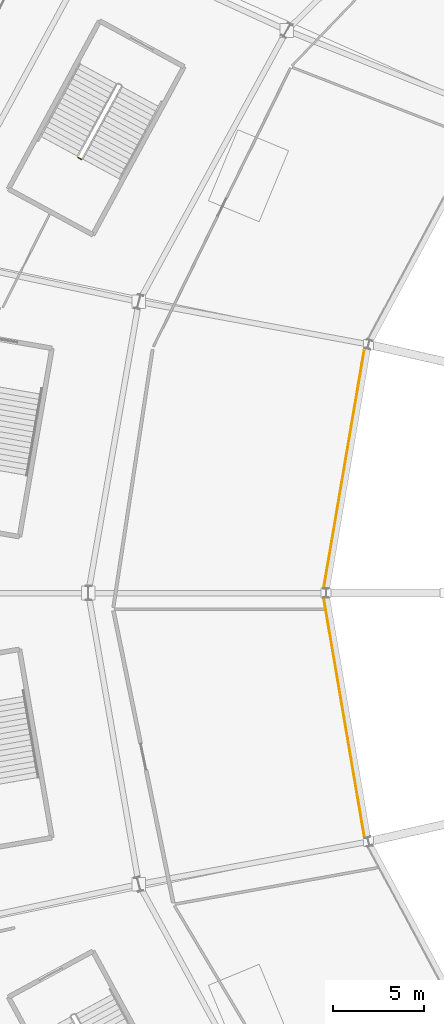
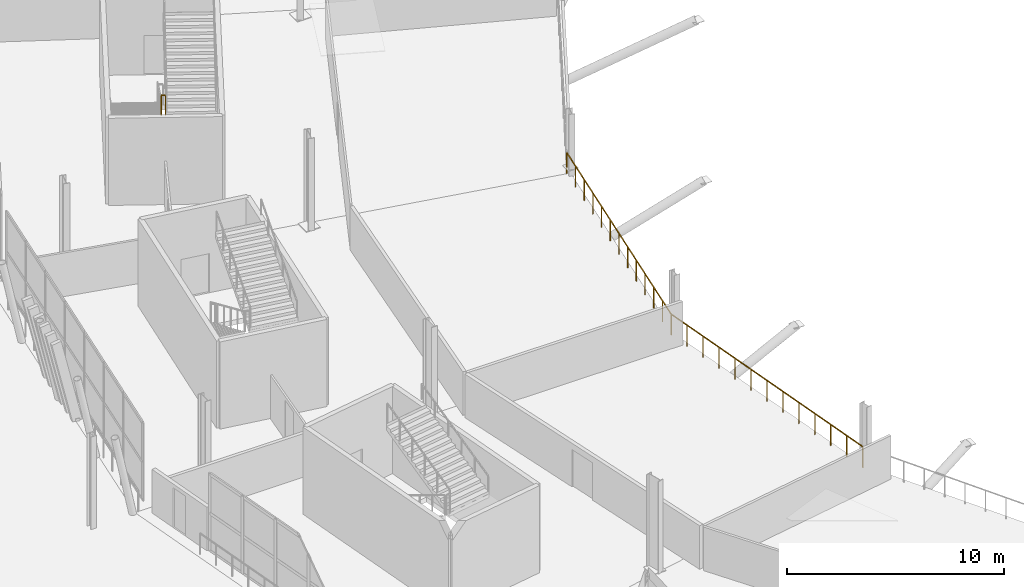
# One storey, part 149 of 168: 3 railings.
"""IFC4 building model written with IfcOpenShell, lengths in metres."""

from ifc_helpers import new_model, si_unit, direction, frame, origin, origin_2d, place, context, subcontext, project, spatial, rectangle, extrude, material, type_object, element, save


model = new_model("IFC4")

# Units and contexts
model_context = context("Model", 3, precision=1e-05, world=origin(), true_north=direction((0.0, 1.0)))
body_context = subcontext(model_context, "Body", "Model", "MODEL_VIEW")
ifc_project = project(units=[si_unit("LENGTHUNIT", "METRE"), si_unit("AREAUNIT", "SQUARE_METRE"), si_unit("VOLUMEUNIT", "CUBIC_METRE"), si_unit("PLANEANGLEUNIT", "RADIAN"), si_unit("MASSUNIT", "GRAM", prefix="KILO")], contexts=[model_context])

# Site, building, storey
site_placement = place(None, origin())
site = spatial("IfcSite", under=ifc_project, at=site_placement, CompositionType="ELEMENT")
building_placement = place(site_placement, origin())
building = spatial("IfcBuilding", under=site, at=building_placement, Name="Zlatoyarsky Gate Stadium", CompositionType="ELEMENT")
storey_placement = place(building_placement, frame((0.0, 0.0, 15.60009765625)))
storey = spatial("IfcBuildingStorey", under=building, at=storey_placement, Name="L03", CompositionType="ELEMENT", Elevation=15.60009765625)

# Railings
ifc_material_1 = material(Name="Powder-coated steel tubular guardrail", Category="steel")
railing_type_1 = type_object("IfcRailingType", Name="CONCOURSE SLAB EDGE GUARDRAIL 1200", PredefinedType="GUARDRAIL", material=ifc_material_1)
railing_1_placement = place(storey_placement, frame((45.143310546875, 93.634521484375, 0.0)))
element("IfcRailing", 1, at=railing_1_placement, inside=storey, type_object=railing_type_1, Name="L03 inner bowl edge guardrail 11", PredefinedType="GUARDRAIL", context=body_context, shape_type="SweptSolid", body=[
    extrude(rectangle(XDim=0.048095703125, YDim=0.048095703125, at=origin_2d()), frame((0.0, 0.0, 1.17578125), z_axis=(-0.167973081768, -0.985791582334, 0.0), x_axis=(0.985791582334, -0.167973081768, 0.0)), (0.0, 0.0, 1.0), 13.8310546875),
    extrude(rectangle(XDim=0.0419921875, YDim=0.0419921875, at=origin_2d()), origin(), (0.0, 0.0, 1.0), 1.15185546875),
    extrude(rectangle(XDim=0.0419921875, YDim=0.0419921875, at=origin_2d()), frame((-0.193603515625, -1.13623046875, 0.0)), (0.0, 0.0, 1.0), 1.15185546875),
    extrude(rectangle(XDim=0.0419921875, YDim=0.0419921875, at=origin_2d()), frame((-0.38720703125, -2.2724609375, 0.0)), (0.0, 0.0, 1.0), 1.15185546875),
    extrude(rectangle(XDim=0.0419921875, YDim=0.0419921875, at=origin_2d()), frame((-0.580810546875, -3.40869140625, 0.0)), (0.0, 0.0, 1.0), 1.15185546875),
    extrude(rectangle(XDim=0.0419921875, YDim=0.0419921875, at=origin_2d()), frame((-0.7744140625, -4.544921875, 0.0)), (0.0, 0.0, 1.0), 1.15185546875),
    extrude(rectangle(XDim=0.0419921875, YDim=0.0419921875, at=origin_2d()), frame((-0.968017578125, -5.68115234375, 0.0)), (0.0, 0.0, 1.0), 1.15185546875),
    extrude(rectangle(XDim=0.0419921875, YDim=0.0419921875, at=origin_2d()), frame((-1.16162109375, -6.8173828125, 0.0)), (0.0, 0.0, 1.0), 1.15185546875),
    extrude(rectangle(XDim=0.0419921875, YDim=0.0419921875, at=origin_2d()), frame((-1.355224609375, -7.953369140625, 0.0)), (0.0, 0.0, 1.0), 1.15185546875),
    extrude(rectangle(XDim=0.0419921875, YDim=0.0419921875, at=origin_2d()), frame((-1.548828125, -9.089599609375, 0.0)), (0.0, 0.0, 1.0), 1.15185546875),
    extrude(rectangle(XDim=0.0419921875, YDim=0.0419921875, at=origin_2d()), frame((-1.742431640625, -10.225830078125, 0.0)), (0.0, 0.0, 1.0), 1.15185546875),
    extrude(rectangle(XDim=0.0419921875, YDim=0.0419921875, at=origin_2d()), frame((-1.93603515625, -11.362060546875, 0.0)), (0.0, 0.0, 1.0), 1.15185546875),
    extrude(rectangle(XDim=0.0419921875, YDim=0.0419921875, at=origin_2d()), frame((-2.129638671875, -12.498291015625, 0.0)), (0.0, 0.0, 1.0), 1.15185546875),
    extrude(rectangle(XDim=0.0419921875, YDim=0.0419921875, at=origin_2d()), frame((-2.3232421875, -13.634521484375, 0.0)), (0.0, 0.0, 1.0), 1.15185546875),
])
railing_2_placement = place(storey_placement, frame((42.820068359375, 80.0, 0.0)))
element("IfcRailing", 2, at=railing_2_placement, inside=storey, type_object=railing_type_1, Name="L03 inner bowl edge guardrail 12", PredefinedType="GUARDRAIL", context=body_context, shape_type="SweptSolid", body=[
    extrude(rectangle(XDim=0.048095703125, YDim=0.048095703125, at=origin_2d()), frame((0.0, 0.0, 1.17578125), z_axis=(0.167973081768, -0.985791582334, 0.0), x_axis=(0.985791582334, 0.167973081768, 0.0)), (0.0, 0.0, 1.0), 13.8310546875),
    extrude(rectangle(XDim=0.0419921875, YDim=0.0419921875, at=origin_2d()), origin(), (0.0, 0.0, 1.0), 1.15185546875),
    extrude(rectangle(XDim=0.0419921875, YDim=0.0419921875, at=origin_2d()), frame((0.193603515625, -1.13623046875, 0.0)), (0.0, 0.0, 1.0), 1.15185546875),
    extrude(rectangle(XDim=0.0419921875, YDim=0.0419921875, at=origin_2d()), frame((0.38720703125, -2.2724609375, 0.0)), (0.0, 0.0, 1.0), 1.15185546875),
    extrude(rectangle(XDim=0.0419921875, YDim=0.0419921875, at=origin_2d()), frame((0.580810546875, -3.40869140625, 0.0)), (0.0, 0.0, 1.0), 1.15185546875),
    extrude(rectangle(XDim=0.0419921875, YDim=0.0419921875, at=origin_2d()), frame((0.7744140625, -4.544921875, 0.0)), (0.0, 0.0, 1.0), 1.15185546875),
    extrude(rectangle(XDim=0.0419921875, YDim=0.0419921875, at=origin_2d()), frame((0.968017578125, -5.68115234375, 0.0)), (0.0, 0.0, 1.0), 1.15185546875),
    extrude(rectangle(XDim=0.0419921875, YDim=0.0419921875, at=origin_2d()), frame((1.16162109375, -6.8173828125, 0.0)), (0.0, 0.0, 1.0), 1.15185546875),
    extrude(rectangle(XDim=0.0419921875, YDim=0.0419921875, at=origin_2d()), frame((1.355224609375, -7.953369140625, 0.0)), (0.0, 0.0, 1.0), 1.15185546875),
    extrude(rectangle(XDim=0.0419921875, YDim=0.0419921875, at=origin_2d()), frame((1.548828125, -9.089599609375, 0.0)), (0.0, 0.0, 1.0), 1.15185546875),
    extrude(rectangle(XDim=0.0419921875, YDim=0.0419921875, at=origin_2d()), frame((1.742431640625, -10.225830078125, 0.0)), (0.0, 0.0, 1.0), 1.15185546875),
    extrude(rectangle(XDim=0.0419921875, YDim=0.0419921875, at=origin_2d()), frame((1.93603515625, -11.362060546875, 0.0)), (0.0, 0.0, 1.0), 1.15185546875),
    extrude(rectangle(XDim=0.0419921875, YDim=0.0419921875, at=origin_2d()), frame((2.129638671875, -12.498291015625, 0.0)), (0.0, 0.0, 1.0), 1.15185546875),
    extrude(rectangle(XDim=0.0419921875, YDim=0.0419921875, at=origin_2d()), frame((2.3232421875, -13.634521484375, 0.0)), (0.0, 0.0, 1.0), 1.15185546875),
])
ifc_material_2 = material(Name="Powder-coated steel stair guardrail", Category="steel")
railing_type_2 = type_object("IfcRailingType", Name="PAINTED STEEL STAIR WELL GUARDRAIL 1150", PredefinedType="GUARDRAIL", material=ifc_material_2)
railing_3_placement = place(storey_placement, frame((29.436767578125, 103.802001953125, 2.599853515625)))
element("IfcRailing", 3, at=railing_3_placement, inside=storey, type_object=railing_type_2, Name="ST-06 L03 stair guard 2", PredefinedType="GUARDRAIL", context=body_context, shape_type="SweptSolid", body=[
    extrude(rectangle(XDim=0.048095703125, YDim=0.048095703125, at=origin_2d()), frame((0.0, 0.0, 1.1259765625), z_axis=(0.878780312785, -0.477226530971, 0.0), x_axis=(0.477226530971, 0.878780312785, 0.0)), (0.0, 0.0, 1.0), 0.199951171875),
    extrude(rectangle(XDim=0.0419921875, YDim=0.0419921875, at=origin_2d()), origin(), (0.0, 0.0, 1.0), 1.101806640625),
    extrude(rectangle(XDim=0.0419921875, YDim=0.0419921875, at=origin_2d()), frame((0.17578125, -0.095458984375, 0.0)), (0.0, 0.0, 1.0), 1.101806640625),
])

save(model, "model.ifc")
